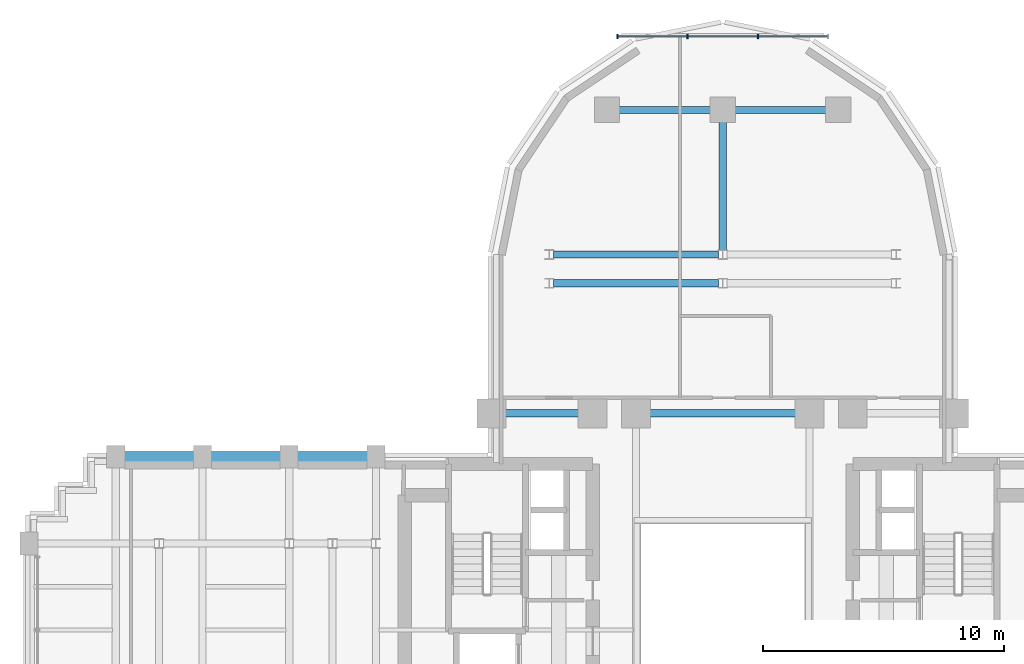
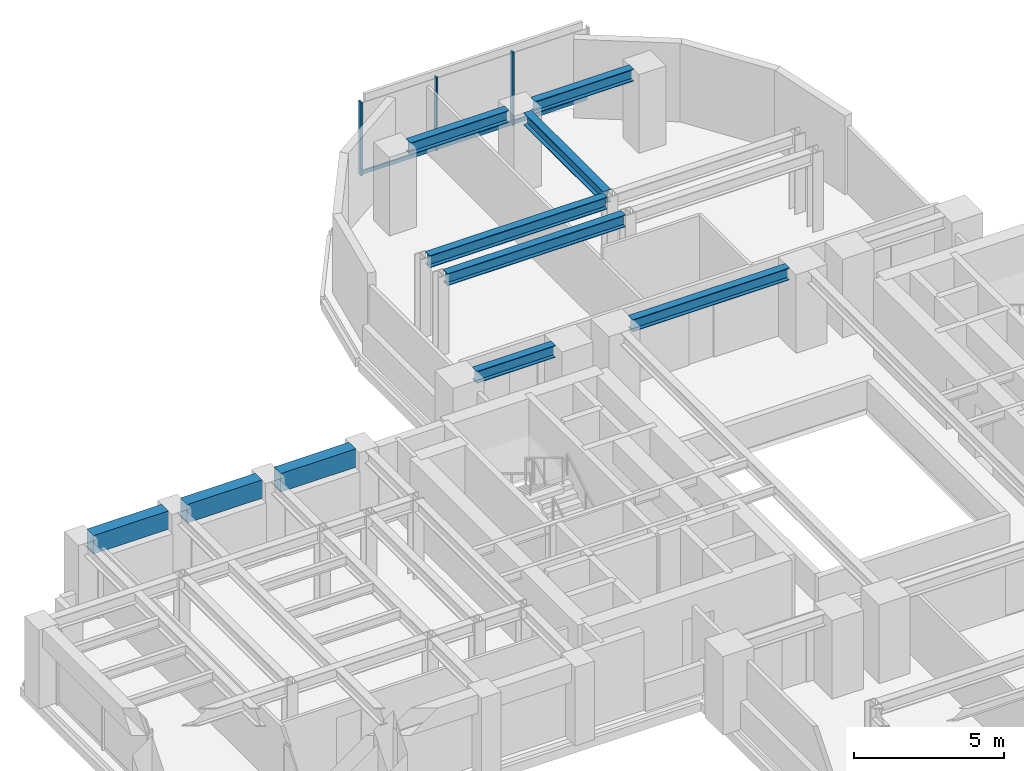
# One storey, part 7 of 16: 10 beams, 6 members, 1 element without a shape of its own.
"""IFC4 building model written with IfcOpenShell, lengths in metres."""

from ifc_helpers import new_model, si_unit, direction, frame, origin, origin_2d, place, context, subcontext, project, spatial, rectangle, i_section, extrude, source, transform, mapped, material, material_profile, profile_set, type_object, element, aggregate, save


model = new_model("IFC4")

# Units and contexts
model_context = context("Model", 3, precision=1e-05, world=origin(), true_north=direction((0.0, 1.0)))
body_context = subcontext(model_context, "Body", "Model", "MODEL_VIEW")
ifc_project = project(units=[si_unit("LENGTHUNIT", "METRE"), si_unit("AREAUNIT", "SQUARE_METRE"), si_unit("VOLUMEUNIT", "CUBIC_METRE"), si_unit("PLANEANGLEUNIT", "RADIAN"), si_unit("MASSUNIT", "GRAM", prefix="KILO")], contexts=[model_context])

# Site, building, storey
site_placement = place(None, origin())
site = spatial("IfcSite", under=ifc_project, at=site_placement, CompositionType="ELEMENT")
building_placement = place(site_placement, origin())
building = spatial("IfcBuilding", under=site, at=building_placement, Name="Keilestroom Media Tower", CompositionType="ELEMENT")
storey_placement = place(building_placement, frame((0.0, 0.0, 34.0)))
storey = spatial("IfcBuildingStorey", under=building, at=storey_placement, Name="L07", CompositionType="ELEMENT", Elevation=34.0)

# Beams
ifc_material_1 = material(Name="Precast concrete C40/50", Category="concrete")
ifc_material_profile_1 = material_profile(ifc_material_1, rectangle(XDim=0.449951171875, YDim=0.75, at=origin_2d()), Name="PC 450x750")
ifc_profile_set_1 = profile_set([ifc_material_profile_1], Name="Precast concrete C40/50")
beam_type_1 = type_object("IfcBeamType", Name="Perimeter-Spandrel-Beam-PC-450x750", PredefinedType="SPANDREL", material=ifc_profile_set_1)
shared_shape_1 = source(origin(), body_context, "Body", "SweptSolid", [
    extrude(rectangle(XDim=0.449951171875, YDim=0.75, at=origin_2d()), origin(), (0.0, 0.0, 1.0), 2.889892578125),
])
beam_1_placement = place(storey_placement, frame((-24.844970703125, 7.199951171875, 2.824951171875), z_axis=(1.0, 0.0, 0.0), x_axis=(0.0, 1.0, 0.0)))
element("IfcBeam", 1, at=beam_1_placement, inside=storey, type_object=beam_type_1, Name="L07 Beam SPB-1 BM-L07-EW-034", PredefinedType="SPANDREL", context=body_context, shape_type="MappedRepresentation", body=[
    mapped(shared_shape_1, transform((0.0, 0.0, 0.0), x_axis=(1.0, 0.0, 0.0), y_axis=(0.0, 1.0, 0.0), z_axis=(0.0, 0.0, 1.0), scale=1.0)),
])
shared_shape_2 = source(origin(), body_context, "Body", "SweptSolid", [
    extrude(rectangle(XDim=0.449951171875, YDim=0.75, at=origin_2d()), origin(), (0.0, 0.0, 1.0), 2.89013671875),
])
for number, where, z_axis, x_axis, name in (
    (2, (-21.2451171875, 7.199951171875, 2.824951171875), (1.0, 0.0, 0.0), (0.0, 1.0, 0.0), "L07 Beam SPB-1 BM-L07-EW-035"),
    (3, (-17.64501953125, 7.199951171875, 2.824951171875), (1.0, 0.0, 0.0), (0.0, 1.0, 0.0), "L07 Beam SPB-1 BM-L07-EW-036"),
):
    element("IfcBeam", number, at=place(storey_placement, frame(where, z_axis=z_axis, x_axis=x_axis)), inside=storey, type_object=beam_type_1, Name=name, PredefinedType="SPANDREL", context=body_context, shape_type="MappedRepresentation", body=[
        mapped(shared_shape_2, transform((0.0, 0.0, 0.0), x_axis=(1.0, 0.0, 0.0), y_axis=(0.0, 1.0, 0.0), z_axis=(0.0, 0.0, 1.0), scale=1.0)),
    ])
ifc_material_2 = material(Name="Steel S355", Category="steel")
ifc_material_profile_2 = material_profile(ifc_material_2, i_section(OverallWidth=0.300048828125, OverallDepth=0.5, WebThickness=0.012451171875, FlangeThickness=0.028076171875, at=origin_2d()), Name="HEB 500")
ifc_profile_set_2 = profile_set([ifc_material_profile_2], Name="Steel S355")
beam_type_2 = type_object("IfcBeamType", Name="Primary-Structural-Girder-HEB-500", PredefinedType="BEAM", material=ifc_profile_set_2)
shared_shape_3 = source(origin(), body_context, "Body", "SweptSolid", [
    extrude(i_section(OverallWidth=0.300048828125, OverallDepth=0.5, WebThickness=0.012451171875, FlangeThickness=0.028076171875, at=origin_2d()), origin(), (0.0, 0.0, 1.0), 5.3115234375),
])
beam_2_placement = place(storey_placement, frame((0.0, 15.783447265625, 2.949951171875), z_axis=(0.0, 1.0, 0.0), x_axis=(-1.0, 0.0, 0.0)))
element("IfcBeam", 4, at=beam_2_placement, inside=storey, type_object=beam_type_2, Name="L07 Beam BG-6 BM-L07-NS-070", PredefinedType="BEAM", context=body_context, shape_type="MappedRepresentation", body=[
    mapped(shared_shape_3, transform((0.0, 0.0, 0.0), x_axis=(1.0, 0.0, 0.0), y_axis=(0.0, 1.0, 0.0), z_axis=(0.0, 0.0, 1.0), scale=1.0)),
])
ifc_material_profile_3 = material_profile(ifc_material_2, i_section(OverallWidth=0.300048828125, OverallDepth=0.489990234375, WebThickness=0.011962890625, FlangeThickness=0.02294921875, at=origin_2d()), Name="HEA 500")
ifc_profile_set_3 = profile_set([ifc_material_profile_3], Name="Steel S355")
beam_type_3 = type_object("IfcBeamType", Name="Primary-Structural-Girder-HEA-500", PredefinedType="BEAM", material=ifc_profile_set_3)
shared_shape_4 = source(origin(), body_context, "Body", "SweptSolid", [
    extrude(i_section(OverallWidth=0.300048828125, OverallDepth=0.489990234375, WebThickness=0.011962890625, FlangeThickness=0.02294921875, at=origin_2d()), origin(), (0.0, 0.0, 1.0), 3.7900390625),
])
for number, where, z_axis, x_axis, name in (
    (5, (-4.294921875, 21.60009765625, 2.955078125), (1.0, 0.0, 0.0), (0.0, 1.0, 0.0), "L07 Beam BG-10 BM-L07-EW-049"),
    (6, (0.5048828125, 21.60009765625, 2.955078125), (1.0, 0.0, 0.0), (0.0, 1.0, 0.0), "L07 Beam BG-10 BM-L07-EW-050"),
):
    element("IfcBeam", number, at=place(storey_placement, frame(where, z_axis=z_axis, x_axis=x_axis)), inside=storey, type_object=beam_type_3, Name=name, PredefinedType="BEAM", context=body_context, shape_type="MappedRepresentation", body=[
        mapped(shared_shape_4, transform((0.0, 0.0, 0.0), x_axis=(1.0, 0.0, 0.0), y_axis=(0.0, 1.0, 0.0), z_axis=(0.0, 0.0, 1.0), scale=1.0)),
    ])
shared_shape_5 = source(origin(), body_context, "Body", "SweptSolid", [
    extrude(i_section(OverallWidth=0.300048828125, OverallDepth=0.489990234375, WebThickness=0.011962890625, FlangeThickness=0.02294921875, at=origin_2d()), origin(), (0.0, 0.0, 1.0), 6.836181640625),
])
for number, where, z_axis, x_axis, name in (
    (7, (-7.01806640625, 14.39990234375, 2.955078125), (1.0, 0.0, 0.0), (0.0, 1.0, 0.0), "L07 Beam BG-10 BM-L07-EW-045"),
    (8, (-7.01806640625, 15.60009765625, 2.955078125), (1.0, 0.0, 0.0), (0.0, 1.0, 0.0), "L07 Beam BG-10 BM-L07-EW-047"),
):
    element("IfcBeam", number, at=place(storey_placement, frame(where, z_axis=z_axis, x_axis=x_axis)), inside=storey, type_object=beam_type_3, Name=name, PredefinedType="BEAM", context=body_context, shape_type="MappedRepresentation", body=[
        mapped(shared_shape_5, transform((0.0, 0.0, 0.0), x_axis=(1.0, 0.0, 0.0), y_axis=(0.0, 1.0, 0.0), z_axis=(0.0, 0.0, 1.0), scale=1.0)),
    ])
shared_shape_6 = source(origin(), body_context, "Body", "SweptSolid", [
    extrude(i_section(OverallWidth=0.300048828125, OverallDepth=0.489990234375, WebThickness=0.011962890625, FlangeThickness=0.02294921875, at=origin_2d()), origin(), (0.0, 0.0, 1.0), 3.0400390625),
])
beam_3_placement = place(storey_placement, frame((-9.02001953125, 9.0, 2.955078125), z_axis=(1.0, 0.0, 0.0), x_axis=(0.0, 1.0, 0.0)))
element("IfcBeam", 9, at=beam_3_placement, inside=storey, type_object=beam_type_3, Name="L07 Beam BG-10 BM-L07-EW-040", PredefinedType="BEAM", context=body_context, shape_type="MappedRepresentation", body=[
    mapped(shared_shape_6, transform((0.0, 0.0, 0.0), x_axis=(1.0, 0.0, 0.0), y_axis=(0.0, 1.0, 0.0), z_axis=(0.0, 0.0, 1.0), scale=1.0)),
])
shared_shape_7 = source(origin(), body_context, "Body", "SweptSolid", [
    extrude(i_section(OverallWidth=0.300048828125, OverallDepth=0.489990234375, WebThickness=0.011962890625, FlangeThickness=0.02294921875, at=origin_2d()), origin(), (0.0, 0.0, 1.0), 6.0400390625),
])
beam_4_placement = place(storey_placement, frame((-3.02001953125, 9.0, 2.955078125), z_axis=(1.0, 0.0, 0.0), x_axis=(0.0, 1.0, 0.0)))
element("IfcBeam", 10, at=beam_4_placement, inside=storey, type_object=beam_type_3, Name="L07 Beam BG-10 BM-L07-EW-042", PredefinedType="BEAM", context=body_context, shape_type="MappedRepresentation", body=[
    mapped(shared_shape_7, transform((0.0, 0.0, 0.0), x_axis=(1.0, 0.0, 0.0), y_axis=(0.0, 1.0, 0.0), z_axis=(0.0, 0.0, 1.0), scale=1.0)),
])

# Curtain wall, members
ifc_material_3 = material(Name="Anodised Aluminium Alloy", Category="aluminium")
curtain_wall_type = type_object("IfcCurtainWallType", Name="Unitised-Curtain-Wall-CW-6", PredefinedType="NOTDEFINED", material=ifc_material_3)
curtain_wall_placement = place(storey_placement, origin())
curtain_wall = element("IfcCurtainWall", 11, at=curtain_wall_placement, inside=storey, type_object=curtain_wall_type, Name="L07 Curtain Wall CW-6 CW-L07-LN-1", PredefinedType="NOTDEFINED")
ifc_material_profile_4 = material_profile(ifc_material_3, rectangle(XDim=0.06494140625, YDim=0.179931640625, at=origin_2d()), Name="ALU MULLION 65x180")
ifc_profile_set_4 = profile_set([ifc_material_profile_4], Name="Anodised Aluminium Alloy")
member_type_1 = type_object("IfcMemberType", Name="Curtain-Wall-Mullion-CW-6", PredefinedType="MULLION", material=ifc_profile_set_4)
shared_shape_8 = source(origin(), body_context, "Body", "SweptSolid", [
    extrude(rectangle(XDim=0.06494140625, YDim=0.179931640625, at=origin_2d()), origin(), (0.0, 0.0, 1.0), 2.97998046875),
])
member_1_placement = place(storey_placement, frame((-4.367431640625, 24.64990234375, 0.0), z_axis=(0.0, 0.0, 1.0), x_axis=(1.0, 0.0, 0.0)))
member_1 = element("IfcMember", 12, at=member_1_placement, type_object=member_type_1, Name="CW-6 Mullion 00", PredefinedType="MULLION", context=body_context, shape_type="MappedRepresentation", body=[
    mapped(shared_shape_8, transform((0.0, 0.0, 0.0), x_axis=(1.0, 0.0, 0.0), y_axis=(0.0, 1.0, 0.0), z_axis=(0.0, 0.0, 1.0), scale=1.0)),
])
member_2_placement = place(storey_placement, frame((-1.466796875, 24.64990234375, 0.0), z_axis=(0.0, 0.0, 1.0), x_axis=(1.0, 0.0, 0.0)))
member_2 = element("IfcMember", 13, at=member_2_placement, type_object=member_type_1, Name="CW-6 Mullion 01", PredefinedType="MULLION", context=body_context, shape_type="MappedRepresentation", body=[
    mapped(shared_shape_8, transform((0.0, 0.0, 0.0), x_axis=(1.0, 0.0, 0.0), y_axis=(0.0, 1.0, 0.0), z_axis=(0.0, 0.0, 1.0), scale=1.0)),
])
member_3_placement = place(storey_placement, frame((1.466796875, 24.64990234375, 0.0), z_axis=(0.0, 0.0, 1.0), x_axis=(1.0, 0.0, 0.0)))
member_3 = element("IfcMember", 14, at=member_3_placement, type_object=member_type_1, Name="CW-6 Mullion 02", PredefinedType="MULLION", context=body_context, shape_type="MappedRepresentation", body=[
    mapped(shared_shape_8, transform((0.0, 0.0, 0.0), x_axis=(1.0, 0.0, 0.0), y_axis=(0.0, 1.0, 0.0), z_axis=(0.0, 0.0, 1.0), scale=1.0)),
])
ifc_material_profile_5 = material_profile(ifc_material_3, rectangle(XDim=0.06494140625, YDim=0.14990234375, at=origin_2d()), Name="ALU TRANSOM 65x150")
ifc_profile_set_5 = profile_set([ifc_material_profile_5], Name="Anodised Aluminium Alloy")
member_type_2 = type_object("IfcMemberType", Name="Curtain-Wall-Transom-CW-6", PredefinedType="USERDEFINED", material=ifc_profile_set_5)
shared_shape_9 = source(origin(), body_context, "Body", "SweptSolid", [
    extrude(rectangle(XDim=0.06494140625, YDim=0.14990234375, at=origin_2d()), origin(), (0.0, 0.0, 1.0), 2.839599609375),
])
member_4_placement = place(storey_placement, frame((-4.3369140625, 24.64990234375, 0.074951171875), z_axis=(1.0, 0.0, 0.0), x_axis=(0.0, 1.0, 0.0)))
member_4 = element("IfcMember", 15, at=member_4_placement, type_object=member_type_2, Name="CW-6 Transom 00.1", ObjectType="TRANSOM", PredefinedType="USERDEFINED", context=body_context, shape_type="MappedRepresentation", body=[
    mapped(shared_shape_9, transform((0.0, 0.0, 0.0), x_axis=(1.0, 0.0, 0.0), y_axis=(0.0, 1.0, 0.0), z_axis=(0.0, 0.0, 1.0), scale=1.0)),
])
member_5_placement = place(storey_placement, frame((1.497314453125, 24.64990234375, 0.074951171875), z_axis=(1.0, 0.0, 0.0), x_axis=(0.0, 1.0, 0.0)))
member_5 = element("IfcMember", 16, at=member_5_placement, type_object=member_type_2, Name="CW-6 Transom 02.1", ObjectType="TRANSOM", PredefinedType="USERDEFINED", context=body_context, shape_type="MappedRepresentation", body=[
    mapped(shared_shape_9, transform((0.0, 0.0, 0.0), x_axis=(1.0, 0.0, 0.0), y_axis=(0.0, 1.0, 0.0), z_axis=(0.0, 0.0, 1.0), scale=1.0)),
])
shared_shape_10 = source(origin(), body_context, "Body", "SweptSolid", [
    extrude(rectangle(XDim=0.06494140625, YDim=0.14990234375, at=origin_2d()), origin(), (0.0, 0.0, 1.0), 2.87255859375),
])
member_6_placement = place(storey_placement, frame((-1.436279296875, 24.64990234375, 0.074951171875), z_axis=(1.0, 0.0, 0.0), x_axis=(0.0, 1.0, 0.0)))
member_6 = element("IfcMember", 17, at=member_6_placement, type_object=member_type_2, Name="CW-6 Transom 01.1", ObjectType="TRANSOM", PredefinedType="USERDEFINED", context=body_context, shape_type="MappedRepresentation", body=[
    mapped(shared_shape_10, transform((0.0, 0.0, 0.0), x_axis=(1.0, 0.0, 0.0), y_axis=(0.0, 1.0, 0.0), z_axis=(0.0, 0.0, 1.0), scale=1.0)),
])
aggregate(curtain_wall, [member_1, member_2, member_3, member_4, member_6, member_5])

save(model, "model.ifc")
